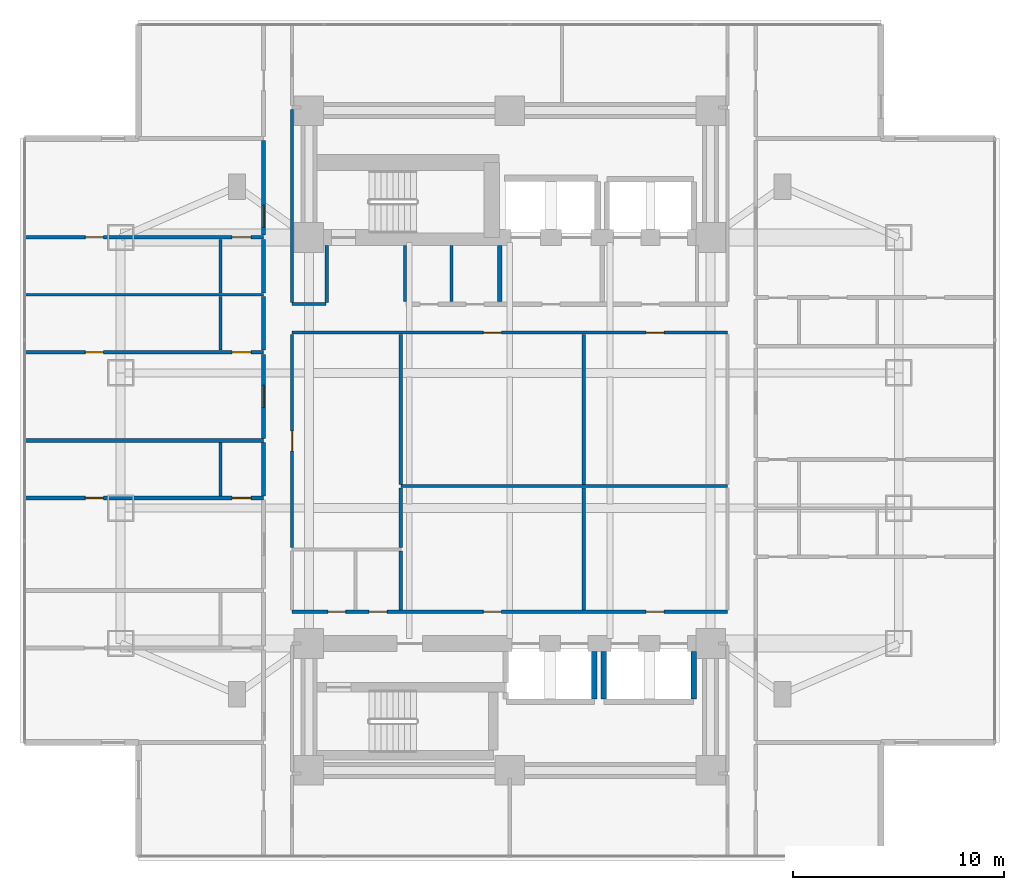
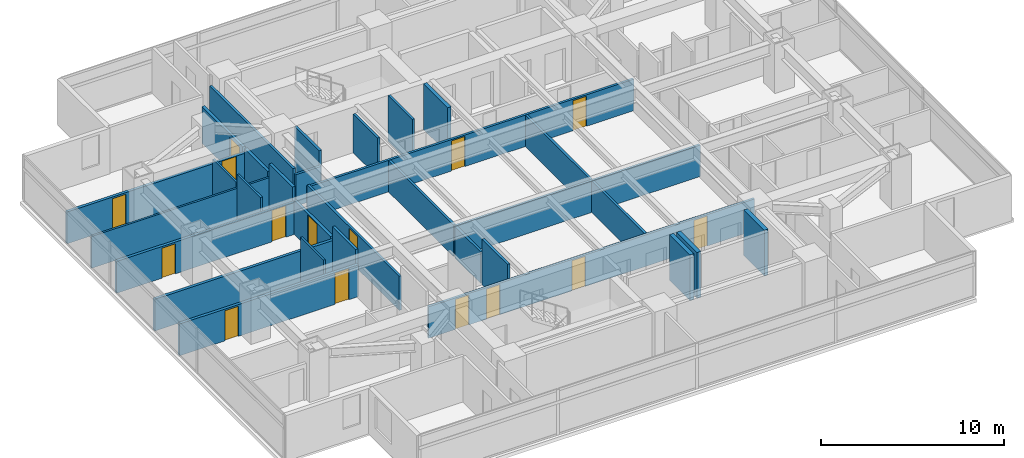
# One storey, part 15 of 26: 31 walls, 15 doors, 15 openings.
"""IFC4 building model written with IfcOpenShell, lengths in metres."""

from ifc_helpers import new_model, si_unit, direction, frame, frame_2d, origin, place, context, subcontext, project, spatial, rectangle, extrude, material, layer, layer_set, type_object, element, fill, save


model = new_model("IFC4")

# Units and contexts
model_context = context("Model", 3, precision=1e-05, world=origin(), true_north=direction((0.0, 1.0)))
body_context = subcontext(model_context, "Body", "Model", "MODEL_VIEW")
ifc_project = project(units=[si_unit("LENGTHUNIT", "METRE"), si_unit("AREAUNIT", "SQUARE_METRE"), si_unit("VOLUMEUNIT", "CUBIC_METRE"), si_unit("PLANEANGLEUNIT", "RADIAN"), si_unit("MASSUNIT", "GRAM", prefix="KILO")], contexts=[model_context])

# Site, building, storey
site_placement = place(None, origin())
site = spatial("IfcSite", under=ifc_project, at=site_placement, CompositionType="ELEMENT")
building_placement = place(site_placement, origin())
building = spatial("IfcBuilding", under=site, at=building_placement, Name="Mirazonda Arch Towers", CompositionType="ELEMENT")
storey_placement = place(building_placement, frame((0.0, 0.0, 45.5)))
storey = spatial("IfcBuildingStorey", under=building, at=storey_placement, Name="L12", CompositionType="ELEMENT", Elevation=45.5)

# Wall
ifc_material_1 = material(Name="Concrete C40/50", Category="concrete")
ifc_layer_1 = layer(ifc_material_1, 0.219970703125, Name="WALL-FFL-220")
ifc_layer_set_1 = layer_set([ifc_layer_1], Name="Concrete C40/50")
wall_type_1 = type_object("IfcWallType", Name="WALL-FFL-220", PredefinedType="SOLIDWALL", material=ifc_layer_set_1)
wall_1_placement = place(storey_placement, frame((20.02490234375, 34.570068359375, 0.0), z_axis=(0.0, 0.0, 1.0), x_axis=(0.0, 1.0, 0.0)))
element("IfcWall", 1, at=wall_1_placement, inside=storey, type_object=wall_type_1, Name="L12 Interior Partition 093", PredefinedType="SOLIDWALL", context=body_context, shape_type="SweptSolid", body=[
    extrude(rectangle(XDim=2.659912109375, YDim=0.219970703125, at=frame_2d((1.330078125, 0.0))), origin(), (0.0, 0.0, 1.0), 3.06005859375),
])

# Wall, openings, doors
ifc_material_2 = material(Name="Fire-Rated Gypsum Stud Partition")
ifc_layer_2 = layer(ifc_material_2, 0.14990234375, Name="WALL-PART-CORR-150")
ifc_layer_set_2 = layer_set([ifc_layer_2], Name="Fire-Rated Gypsum Stud Partition")
wall_type_2 = type_object("IfcWallType", Name="WALL-PART-CORR-150", PredefinedType="PARTITIONING", material=ifc_layer_set_2)
wall_2_placement = place(storey_placement, frame((10.199951171875, 19.89990234375, 0.0), z_axis=(0.0, 0.0, 1.0), x_axis=(1.0, 0.0, 0.0)))
wall_2 = element("IfcWall", 2, at=wall_2_placement, inside=storey, type_object=wall_type_2, Name="L12 Interior Partition 016", PredefinedType="PARTITIONING", context=body_context, shape_type="SweptSolid", body=[
    extrude(rectangle(XDim=20.60009765625, YDim=0.14990234375, at=frame_2d((10.300048828125, 0.0))), origin(), (0.0, 0.0, 1.0), 2.10400390625),
])
opening_1_placement = place(wall_2_placement, frame((1.695068359375, 0.0, 0.0)))
opening_1 = element("IfcOpeningElement", 3, at=opening_1_placement, cuts=wall_2, Name="Opening DR-128", PredefinedType="OPENING", context=body_context, shape_type="SweptSolid", body=[
    extrude(rectangle(XDim=0.85009765625, YDim=2.010009765625, at=frame_2d((0.425048828125, 1.0048828125))), frame((0.0, 0.0849609375, 0.0), z_axis=(0.0, -1.0, 0.0), x_axis=(1.0, 0.0, 0.0)), (0.0, 0.0, 1.0), 0.169921875),
])
opening_2_placement = place(wall_2_placement, frame((3.64990234375, 0.0, 0.0)))
opening_2 = element("IfcOpeningElement", 4, at=opening_2_placement, cuts=wall_2, Name="Opening DR-128", PredefinedType="OPENING", context=body_context, shape_type="SweptSolid", body=[
    extrude(rectangle(XDim=0.85009765625, YDim=2.010009765625, at=frame_2d((0.425048828125, 1.0048828125))), frame((0.0, 0.0849609375, 0.0), z_axis=(0.0, -1.0, 0.0), x_axis=(1.0, 0.0, 0.0)), (0.0, 0.0, 1.0), 0.169921875),
])
opening_3_placement = place(wall_2_placement, frame((9.051025390625, 0.0, 0.0)))
opening_3 = element("IfcOpeningElement", 5, at=opening_3_placement, cuts=wall_2, Name="Opening DR-128", PredefinedType="OPENING", context=body_context, shape_type="SweptSolid", body=[
    extrude(rectangle(XDim=0.85009765625, YDim=2.010009765625, at=frame_2d((0.425048828125, 1.0048828125))), frame((0.0, 0.0849609375, 0.0), z_axis=(0.0, -1.0, 0.0), x_axis=(1.0, 0.0, 0.0)), (0.0, 0.0, 1.0), 0.169921875),
])
opening_4_placement = place(wall_2_placement, frame((16.756103515625, 0.0, 0.0)))
opening_4 = element("IfcOpeningElement", 6, at=opening_4_placement, cuts=wall_2, Name="Opening DR-128", PredefinedType="OPENING", context=body_context, shape_type="SweptSolid", body=[
    extrude(rectangle(XDim=0.85009765625, YDim=2.010009765625, at=frame_2d((0.425048828125, 1.0048828125))), frame((0.0, 0.0849609375, 0.0), z_axis=(0.0, -1.0, 0.0), x_axis=(1.0, 0.0, 0.0)), (0.0, 0.0, 1.0), 0.169921875),
])
ifc_material_3 = material(Name="Architectural Brushed Steel S355", Category="steel")
door_type_1 = type_object("IfcDoorType", Name="DOOR-RISER-FD60-850", OperationType="NOTDEFINED", PredefinedType="DOOR", material=ifc_material_3)
door_1_placement = place(opening_1_placement, origin())
door_1 = element("IfcDoor", 7, at=door_1_placement, inside=storey, type_object=door_type_1, Name="L12 Common Accessible WC Door", OperationType="SINGLE_SWING_LEFT", OverallHeight=2.010009765625, OverallWidth=0.85009765625, PredefinedType="DOOR", context=body_context, shape_type="SweptSolid", body=[
    extrude(rectangle(XDim=0.85009765625, YDim=2.010009765625, at=frame_2d((0.425048828125, 1.0048828125))), frame((0.0, 0.02490234375, 0.0), z_axis=(0.0, -1.0, 0.0), x_axis=(1.0, 0.0, 0.0)), (0.0, 0.0, 1.0), 0.050048828125),
])
fill(opening_1, door_1)
door_2_placement = place(opening_2_placement, origin())
door_2 = element("IfcDoor", 8, at=door_2_placement, inside=storey, type_object=door_type_1, Name="L12 L12 West Courtyard Study Door", OperationType="SINGLE_SWING_LEFT", OverallHeight=2.010009765625, OverallWidth=0.85009765625, PredefinedType="DOOR", context=body_context, shape_type="SweptSolid", body=[
    extrude(rectangle(XDim=0.85009765625, YDim=2.010009765625, at=frame_2d((0.425048828125, 1.0048828125))), frame((0.0, 0.02490234375, 0.0), z_axis=(0.0, -1.0, 0.0), x_axis=(1.0, 0.0, 0.0)), (0.0, 0.0, 1.0), 0.050048828125),
])
fill(opening_2, door_2)
door_3_placement = place(opening_3_placement, origin())
door_3 = element("IfcDoor", 9, at=door_3_placement, inside=storey, type_object=door_type_1, Name="L12 Residents Private Library Door", OperationType="SINGLE_SWING_LEFT", OverallHeight=2.010009765625, OverallWidth=0.85009765625, PredefinedType="DOOR", context=body_context, shape_type="SweptSolid", body=[
    extrude(rectangle(XDim=0.85009765625, YDim=2.010009765625, at=frame_2d((0.425048828125, 1.0048828125))), frame((0.0, 0.02490234375, 0.0), z_axis=(0.0, -1.0, 0.0), x_axis=(1.0, 0.0, 0.0)), (0.0, 0.0, 1.0), 0.050048828125),
])
fill(opening_3, door_3)
door_4_placement = place(opening_4_placement, origin())
door_4 = element("IfcDoor", 10, at=door_4_placement, inside=storey, type_object=door_type_1, Name="L12 Chamber Music & Screening Salon Door", OperationType="SINGLE_SWING_RIGHT", OverallHeight=2.010009765625, OverallWidth=0.85009765625, PredefinedType="DOOR", context=body_context, shape_type="SweptSolid", body=[
    extrude(rectangle(XDim=0.85009765625, YDim=2.010009765625, at=frame_2d((0.425048828125, 1.0048828125))), frame((0.0, 0.02490234375, 0.0), z_axis=(0.0, -1.0, 0.0), x_axis=(1.0, 0.0, 0.0)), (0.0, 0.0, 1.0), 0.050048828125),
])
fill(opening_4, door_4)

# Wall
wall_3_placement = place(storey_placement, frame((15.35009765625, 25.840087890625, 0.0), z_axis=(0.0, 0.0, 1.0), x_axis=(1.0, 0.0, 0.0)))
element("IfcWall", 11, at=wall_3_placement, inside=storey, type_object=wall_type_2, Name="L12 Interior Partition 030", PredefinedType="PARTITIONING", context=body_context, shape_type="SweptSolid", body=[
    extrude(rectangle(XDim=15.449951171875, YDim=0.14990234375, at=frame_2d((7.72509765625, 0.0))), origin(), (0.0, 0.0, 1.0), 2.10400390625),
])

# Wall, openings, doors
wall_4_placement = place(storey_placement, frame((10.199951171875, 33.10009765625, 0.0), z_axis=(0.0, 0.0, 1.0), x_axis=(1.0, 0.0, 0.0)))
wall_4 = element("IfcWall", 12, at=wall_4_placement, inside=storey, type_object=wall_type_2, Name="L12 Interior Partition 045", PredefinedType="PARTITIONING", context=body_context, shape_type="SweptSolid", body=[
    extrude(rectangle(XDim=20.60009765625, YDim=0.14990234375, at=frame_2d((10.300048828125, 0.0))), origin(), (0.0, 0.0, 1.0), 2.10400390625),
])
opening_5_placement = place(wall_4_placement, frame((9.051025390625, 0.0, 0.0)))
opening_5 = element("IfcOpeningElement", 13, at=opening_5_placement, cuts=wall_4, Name="Opening DR-128", PredefinedType="OPENING", context=body_context, shape_type="SweptSolid", body=[
    extrude(rectangle(XDim=0.85009765625, YDim=2.010009765625, at=frame_2d((0.425048828125, 1.0048828125))), frame((0.0, 0.0849609375, 0.0), z_axis=(0.0, -1.0, 0.0), x_axis=(1.0, 0.0, 0.0)), (0.0, 0.0, 1.0), 0.169921875),
])
opening_6_placement = place(wall_4_placement, frame((16.756103515625, 0.0, 0.0)))
opening_6 = element("IfcOpeningElement", 14, at=opening_6_placement, cuts=wall_4, Name="Opening DR-128", PredefinedType="OPENING", context=body_context, shape_type="SweptSolid", body=[
    extrude(rectangle(XDim=0.85009765625, YDim=2.010009765625, at=frame_2d((0.425048828125, 1.0048828125))), frame((0.0, 0.0849609375, 0.0), z_axis=(0.0, -1.0, 0.0), x_axis=(1.0, 0.0, 0.0)), (0.0, 0.0, 1.0), 0.169921875),
])
door_5_placement = place(opening_5_placement, origin())
door_5 = element("IfcDoor", 15, at=door_5_placement, inside=storey, type_object=door_type_1, Name="L12 Private Dining Room Door", OperationType="SINGLE_SWING_LEFT", OverallHeight=2.010009765625, OverallWidth=0.85009765625, PredefinedType="DOOR", context=body_context, shape_type="SweptSolid", body=[
    extrude(rectangle(XDim=0.85009765625, YDim=2.010009765625, at=frame_2d((0.425048828125, 1.0048828125))), frame((0.0, 0.02490234375, 0.0), z_axis=(0.0, -1.0, 0.0), x_axis=(1.0, 0.0, 0.0)), (0.0, 0.0, 1.0), 0.050048828125),
])
fill(opening_5, door_5)
door_6_placement = place(opening_6_placement, origin())
door_6 = element("IfcDoor", 16, at=door_6_placement, inside=storey, type_object=door_type_1, Name="L12 Collectors Gallery Study Door", OperationType="SINGLE_SWING_RIGHT", OverallHeight=2.010009765625, OverallWidth=0.85009765625, PredefinedType="DOOR", context=body_context, shape_type="SweptSolid", body=[
    extrude(rectangle(XDim=0.85009765625, YDim=2.010009765625, at=frame_2d((0.425048828125, 1.0048828125))), frame((0.0, 0.02490234375, 0.0), z_axis=(0.0, -1.0, 0.0), x_axis=(1.0, 0.0, 0.0)), (0.0, 0.0, 1.0), 0.050048828125),
])
fill(opening_6, door_6)

# Wall
wall_5_placement = place(storey_placement, frame((10.199951171875, 34.449951171875, 0.0), z_axis=(0.0, 0.0, 1.0), x_axis=(1.0, 0.0, 0.0)))
element("IfcWall", 17, at=wall_5_placement, inside=storey, type_object=wall_type_2, Name="L12 Interior Partition 046", PredefinedType="PARTITIONING", context=body_context, shape_type="SweptSolid", body=[
    extrude(rectangle(XDim=1.60009765625, YDim=0.14990234375, at=frame_2d((0.800048828125, 0.0))), origin(), (0.0, 0.0, 1.0), 2.10400390625),
])

# Wall, opening, door
wall_6_placement = place(storey_placement, frame((10.206787109375, 22.93505859375, 0.0), z_axis=(0.0, 0.0, 1.0), x_axis=(0.0, 1.0, 0.0)))
wall_6 = element("IfcWall", 18, at=wall_6_placement, inside=storey, type_object=wall_type_2, Name="L12 Interior Partition 082", PredefinedType="PARTITIONING", context=body_context, shape_type="SweptSolid", body=[
    extrude(rectangle(XDim=10.079833984375, YDim=0.14990234375, at=frame_2d((5.0400390625, 0.0))), origin(), (0.0, 0.0, 1.0), 2.279052734375),
])
opening_7_placement = place(wall_6_placement, frame((4.56494140625, 0.0, 0.0)))
opening_7 = element("IfcOpeningElement", 19, at=opening_7_placement, cuts=wall_6, Name="Opening DR-104", PredefinedType="OPENING", context=body_context, shape_type="SweptSolid", body=[
    extrude(rectangle(XDim=0.949951171875, YDim=2.14990234375, at=frame_2d((0.47509765625, 1.074951171875))), frame((0.0, 0.0849609375, 0.0), z_axis=(0.0, -1.0, 0.0), x_axis=(1.0, 0.0, 0.0)), (0.0, 0.0, 1.0), 0.169921875),
])
door_type_2 = type_object("IfcDoorType", Name="DOOR-ROOM-950", OperationType="NOTDEFINED", PredefinedType="DOOR", material=ifc_material_3)
door_7_placement = place(opening_7_placement, origin())
door_7 = element("IfcDoor", 20, at=door_7_placement, inside=storey, type_object=door_type_2, Name="L12 L12 West Courtyard Salon Door", OperationType="SINGLE_SWING_RIGHT", OverallHeight=2.14990234375, OverallWidth=0.949951171875, PredefinedType="DOOR", context=body_context, shape_type="SweptSolid", body=[
    extrude(rectangle(XDim=0.949951171875, YDim=2.14990234375, at=frame_2d((0.47509765625, 1.074951171875))), frame((0.0, 0.02490234375, 0.0), z_axis=(0.0, -1.0, 0.0), x_axis=(1.0, 0.0, 0.0)), (0.0, 0.0, 1.0), 0.050048828125),
])
fill(opening_7, door_7)

# Walls
wall_7_placement = place(storey_placement, frame((10.199951171875, 34.534912109375, 0.0), z_axis=(0.0, 0.0, 1.0), x_axis=(0.0, 1.0, 0.0)))
element("IfcWall", 21, at=wall_7_placement, inside=storey, type_object=wall_type_2, Name="L12 Interior Partition 083", PredefinedType="PARTITIONING", context=body_context, shape_type="SweptSolid", body=[
    extrude(rectangle(XDim=9.130126953125, YDim=0.14990234375, at=frame_2d((4.56494140625, 0.0))), origin(), (0.0, 0.0, 1.0), 2.43603515625),
])
wall_8_placement = place(storey_placement, frame((11.85009765625, 34.534912109375, 0.0), z_axis=(0.0, 0.0, 1.0), x_axis=(0.0, 1.0, 0.0)))
element("IfcWall", 22, at=wall_8_placement, inside=storey, type_object=wall_type_2, Name="L12 Interior Partition 085", PredefinedType="PARTITIONING", context=body_context, shape_type="SweptSolid", body=[
    extrude(rectangle(XDim=2.695068359375, YDim=0.14990234375, at=frame_2d((1.34765625, 0.0))), origin(), (0.0, 0.0, 1.0), 3.06005859375),
])
wall_9_placement = place(storey_placement, frame((15.35009765625, 19.985107421875, 0.0), z_axis=(0.0, 0.0, 1.0), x_axis=(0.0, 1.0, 0.0)))
element("IfcWall", 23, at=wall_9_placement, inside=storey, type_object=wall_type_2, Name="L12 Interior Partition 087", PredefinedType="PARTITIONING", context=body_context, shape_type="SweptSolid", body=[
    extrude(rectangle(XDim=2.77978515625, YDim=0.14990234375, at=frame_2d((1.389892578125, 0.0))), origin(), (0.0, 0.0, 1.0), 3.06005859375),
])
wall_10_placement = place(storey_placement, frame((15.35009765625, 22.93505859375, 0.0), z_axis=(0.0, 0.0, 1.0), x_axis=(0.0, 1.0, 0.0)))
element("IfcWall", 24, at=wall_10_placement, inside=storey, type_object=wall_type_2, Name="L12 Interior Partition 088", PredefinedType="PARTITIONING", context=body_context, shape_type="SweptSolid", body=[
    extrude(rectangle(XDim=2.81982421875, YDim=0.14990234375, at=frame_2d((1.409912109375, 0.0))), origin(), (0.0, 0.0, 1.0), 2.10400390625),
])
wall_11_placement = place(storey_placement, frame((15.35009765625, 25.925048828125, 0.0), z_axis=(0.0, 0.0, 1.0), x_axis=(0.0, 1.0, 0.0)))
element("IfcWall", 25, at=wall_11_placement, inside=storey, type_object=wall_type_2, Name="L12 Interior Partition 089", PredefinedType="PARTITIONING", context=body_context, shape_type="SweptSolid", body=[
    extrude(rectangle(XDim=7.08984375, YDim=0.14990234375, at=frame_2d((3.544921875, 0.0))), origin(), (0.0, 0.0, 1.0), 2.10400390625),
])
wall_12_placement = place(storey_placement, frame((15.550048828125, 34.570068359375, 0.0), z_axis=(0.0, 0.0, 1.0), x_axis=(0.0, 1.0, 0.0)))
element("IfcWall", 26, at=wall_12_placement, inside=storey, type_object=wall_type_2, Name="L12 Interior Partition 090", PredefinedType="PARTITIONING", context=body_context, shape_type="SweptSolid", body=[
    extrude(rectangle(XDim=2.659912109375, YDim=0.14990234375, at=frame_2d((1.330078125, 0.0))), origin(), (0.0, 0.0, 1.0), 2.589111328125),
])
wall_13_placement = place(storey_placement, frame((17.75, 34.570068359375, 0.0), z_axis=(0.0, 0.0, 1.0), x_axis=(0.0, 1.0, 0.0)))
element("IfcWall", 27, at=wall_13_placement, inside=storey, type_object=wall_type_2, Name="L12 Interior Partition 091", PredefinedType="PARTITIONING", context=body_context, shape_type="SweptSolid", body=[
    extrude(rectangle(XDim=2.659912109375, YDim=0.14990234375, at=frame_2d((1.330078125, 0.0))), origin(), (0.0, 0.0, 1.0), 3.06005859375),
])
wall_14_placement = place(storey_placement, frame((24.001953125, 19.985107421875, 0.0), z_axis=(0.0, 0.0, 1.0), x_axis=(0.0, 1.0, 0.0)))
element("IfcWall", 28, at=wall_14_placement, inside=storey, type_object=wall_type_2, Name="L12 Interior Partition 098", PredefinedType="PARTITIONING", context=body_context, shape_type="SweptSolid", body=[
    extrude(rectangle(XDim=5.769775390625, YDim=0.14990234375, at=frame_2d((2.884765625, 0.0))), origin(), (0.0, 0.0, 1.0), 2.10400390625),
])
wall_15_placement = place(storey_placement, frame((24.001953125, 25.925048828125, 0.0), z_axis=(0.0, 0.0, 1.0), x_axis=(0.0, 1.0, 0.0)))
element("IfcWall", 29, at=wall_15_placement, inside=storey, type_object=wall_type_2, Name="L12 Interior Partition 099", PredefinedType="PARTITIONING", context=body_context, shape_type="SweptSolid", body=[
    extrude(rectangle(XDim=7.08984375, YDim=0.14990234375, at=frame_2d((3.544921875, 0.0))), origin(), (0.0, 0.0, 1.0), 2.10400390625),
])

# Wall, openings, doors
ifc_material_4 = material(Name="Fire-Rated Gypsum Twin-Stud Assembly")
ifc_layer_3 = layer(ifc_material_4, 0.179931640625, Name="WALL-PART-DEMISE-180")
ifc_layer_set_3 = layer_set([ifc_layer_3], Name="Fire-Rated Gypsum Twin-Stud Assembly")
wall_type_3 = type_object("IfcWallType", Name="WALL-PART-DEMISE-180", PredefinedType="PARTITIONING", material=ifc_layer_set_3)
wall_16_placement = place(storey_placement, frame((-2.43994140625, 25.280029296875, 0.0), z_axis=(0.0, 0.0, 1.0), x_axis=(1.0, 0.0, 0.0)))
wall_16 = element("IfcWall", 30, at=wall_16_placement, inside=storey, type_object=wall_type_3, Name="L12 Interior Partition 028", PredefinedType="PARTITIONING", context=body_context, shape_type="SweptSolid", body=[
    extrude(rectangle(XDim=11.300048828125, YDim=0.179931640625, at=frame_2d((5.64990234375, 0.0))), origin(), (0.0, 0.0, 1.0), 2.125),
])
opening_8_placement = place(wall_16_placement, frame((2.875, 0.0, 0.0)))
opening_8 = element("IfcOpeningElement", 31, at=opening_8_placement, cuts=wall_16, Name="Opening DR-128", PredefinedType="OPENING", context=body_context, shape_type="SweptSolid", body=[
    extrude(rectangle(XDim=0.85009765625, YDim=2.010009765625, at=frame_2d((0.425048828125, 1.0048828125))), frame((0.0, 0.099853515625, 0.0), z_axis=(0.0, -1.0, 0.0), x_axis=(1.0, 0.0, 0.0)), (0.0, 0.0, 1.0), 0.199951171875),
])
opening_9_placement = place(wall_16_placement, frame((9.81005859375, 0.0, 0.0)))
opening_9 = element("IfcOpeningElement", 32, at=opening_9_placement, cuts=wall_16, Name="Opening DR-120", PredefinedType="OPENING", context=body_context, shape_type="SweptSolid", body=[
    extrude(rectangle(XDim=0.89990234375, YDim=2.10009765625, at=frame_2d((0.449951171875, 1.050048828125))), frame((0.0, 0.099853515625, 0.0), z_axis=(0.0, -1.0, 0.0), x_axis=(1.0, 0.0, 0.0)), (0.0, 0.0, 1.0), 0.199951171875),
])
door_8_placement = place(opening_8_placement, origin())
door_8 = element("IfcDoor", 33, at=door_8_placement, inside=storey, type_object=door_type_1, Name="L12 Studio 2 Galley Kitchen Door", OperationType="SINGLE_SWING_RIGHT", OverallHeight=2.010009765625, OverallWidth=0.85009765625, PredefinedType="DOOR", context=body_context, shape_type="SweptSolid", body=[
    extrude(rectangle(XDim=0.85009765625, YDim=2.010009765625, at=frame_2d((0.425048828125, 1.0048828125))), frame((0.0, 0.02490234375, 0.0), z_axis=(0.0, -1.0, 0.0), x_axis=(1.0, 0.0, 0.0)), (0.0, 0.0, 1.0), 0.050048828125),
])
fill(opening_8, door_8)
door_type_3 = type_object("IfcDoorType", Name="DOOR-WC-900", OperationType="NOTDEFINED", PredefinedType="DOOR", material=ifc_material_3)
door_9_placement = place(opening_9_placement, origin())
door_9 = element("IfcDoor", 34, at=door_9_placement, inside=storey, type_object=door_type_3, Name="L12 Studio 2 Bathroom Door", OperationType="SINGLE_SWING_LEFT", OverallHeight=2.10009765625, OverallWidth=0.89990234375, PredefinedType="DOOR", context=body_context, shape_type="SweptSolid", body=[
    extrude(rectangle(XDim=0.89990234375, YDim=2.10009765625, at=frame_2d((0.449951171875, 1.050048828125))), frame((0.0, 0.02490234375, 0.0), z_axis=(0.0, -1.0, 0.0), x_axis=(1.0, 0.0, 0.0)), (0.0, 0.0, 1.0), 0.050048828125),
])
fill(opening_9, door_9)

# Wall
wall_17_placement = place(storey_placement, frame((-2.43994140625, 28.0, 0.0), z_axis=(0.0, 0.0, 1.0), x_axis=(1.0, 0.0, 0.0)))
element("IfcWall", 35, at=wall_17_placement, inside=storey, type_object=wall_type_3, Name="L12 Interior Partition 035", PredefinedType="PARTITIONING", context=body_context, shape_type="SweptSolid", body=[
    extrude(rectangle(XDim=11.300048828125, YDim=0.179931640625, at=frame_2d((5.64990234375, 0.0))), origin(), (0.0, 0.0, 1.0), 2.125),
])

# Wall, openings, doors
wall_18_placement = place(storey_placement, frame((-2.43994140625, 32.172119140625, 0.0), z_axis=(0.0, 0.0, 1.0), x_axis=(1.0, 0.0, 0.0)))
wall_18 = element("IfcWall", 36, at=wall_18_placement, inside=storey, type_object=wall_type_3, Name="L12 Interior Partition 041", PredefinedType="PARTITIONING", context=body_context, shape_type="SweptSolid", body=[
    extrude(rectangle(XDim=11.300048828125, YDim=0.179931640625, at=frame_2d((5.64990234375, 0.0))), origin(), (0.0, 0.0, 1.0), 2.125),
])
opening_10_placement = place(wall_18_placement, frame((2.875, 0.0, 0.0)))
opening_10 = element("IfcOpeningElement", 37, at=opening_10_placement, cuts=wall_18, Name="Opening DR-128", PredefinedType="OPENING", context=body_context, shape_type="SweptSolid", body=[
    extrude(rectangle(XDim=0.85009765625, YDim=2.010009765625, at=frame_2d((0.425048828125, 1.0048828125))), frame((0.0, 0.099853515625, 0.0), z_axis=(0.0, -1.0, 0.0), x_axis=(1.0, 0.0, 0.0)), (0.0, 0.0, 1.0), 0.199951171875),
])
opening_11_placement = place(wall_18_placement, frame((9.81005859375, 0.0, 0.0)))
opening_11 = element("IfcOpeningElement", 38, at=opening_11_placement, cuts=wall_18, Name="Opening DR-120", PredefinedType="OPENING", context=body_context, shape_type="SweptSolid", body=[
    extrude(rectangle(XDim=0.89990234375, YDim=2.10009765625, at=frame_2d((0.449951171875, 1.050048828125))), frame((0.0, 0.099853515625, 0.0), z_axis=(0.0, -1.0, 0.0), x_axis=(1.0, 0.0, 0.0)), (0.0, 0.0, 1.0), 0.199951171875),
])
door_10_placement = place(opening_10_placement, origin())
door_10 = element("IfcDoor", 39, at=door_10_placement, inside=storey, type_object=door_type_1, Name="L12 Studio 3 Galley Kitchen Door", OperationType="SINGLE_SWING_LEFT", OverallHeight=2.010009765625, OverallWidth=0.85009765625, PredefinedType="DOOR", context=body_context, shape_type="SweptSolid", body=[
    extrude(rectangle(XDim=0.85009765625, YDim=2.010009765625, at=frame_2d((0.425048828125, 1.0048828125))), frame((0.0, 0.02490234375, 0.0), z_axis=(0.0, -1.0, 0.0), x_axis=(1.0, 0.0, 0.0)), (0.0, 0.0, 1.0), 0.050048828125),
])
fill(opening_10, door_10)
door_11_placement = place(opening_11_placement, origin())
door_11 = element("IfcDoor", 40, at=door_11_placement, inside=storey, type_object=door_type_3, Name="L12 Studio 3 Bathroom Door", OperationType="SINGLE_SWING_RIGHT", OverallHeight=2.10009765625, OverallWidth=0.89990234375, PredefinedType="DOOR", context=body_context, shape_type="SweptSolid", body=[
    extrude(rectangle(XDim=0.89990234375, YDim=2.10009765625, at=frame_2d((0.449951171875, 1.050048828125))), frame((0.0, 0.02490234375, 0.0), z_axis=(0.0, -1.0, 0.0), x_axis=(1.0, 0.0, 0.0)), (0.0, 0.0, 1.0), 0.050048828125),
])
fill(opening_11, door_11)

wall_19_placement = place(storey_placement, frame((-2.43994140625, 37.612060546875, 0.0), z_axis=(0.0, 0.0, 1.0), x_axis=(1.0, 0.0, 0.0)))
wall_19 = element("IfcWall", 41, at=wall_19_placement, inside=storey, type_object=wall_type_3, Name="L12 Interior Partition 053", PredefinedType="PARTITIONING", context=body_context, shape_type="SweptSolid", body=[
    extrude(rectangle(XDim=11.300048828125, YDim=0.179931640625, at=frame_2d((5.64990234375, 0.0))), origin(), (0.0, 0.0, 1.0), 2.125),
])
opening_12_placement = place(wall_19_placement, frame((2.875, 0.0, 0.0)))
opening_12 = element("IfcOpeningElement", 42, at=opening_12_placement, cuts=wall_19, Name="Opening DR-128", PredefinedType="OPENING", context=body_context, shape_type="SweptSolid", body=[
    extrude(rectangle(XDim=0.85009765625, YDim=2.010009765625, at=frame_2d((0.425048828125, 1.0048828125))), frame((0.0, 0.099853515625, 0.0), z_axis=(0.0, -1.0, 0.0), x_axis=(1.0, 0.0, 0.0)), (0.0, 0.0, 1.0), 0.199951171875),
])
opening_13_placement = place(wall_19_placement, frame((9.81005859375, 0.0, 0.0)))
opening_13 = element("IfcOpeningElement", 43, at=opening_13_placement, cuts=wall_19, Name="Opening DR-120", PredefinedType="OPENING", context=body_context, shape_type="SweptSolid", body=[
    extrude(rectangle(XDim=0.89990234375, YDim=2.10009765625, at=frame_2d((0.449951171875, 1.050048828125))), frame((0.0, 0.099853515625, 0.0), z_axis=(0.0, -1.0, 0.0), x_axis=(1.0, 0.0, 0.0)), (0.0, 0.0, 1.0), 0.199951171875),
])
door_12_placement = place(opening_12_placement, origin())
door_12 = element("IfcDoor", 44, at=door_12_placement, inside=storey, type_object=door_type_1, Name="L12 Studio 4 Galley Kitchen Door", OperationType="SINGLE_SWING_RIGHT", OverallHeight=2.010009765625, OverallWidth=0.85009765625, PredefinedType="DOOR", context=body_context, shape_type="SweptSolid", body=[
    extrude(rectangle(XDim=0.85009765625, YDim=2.010009765625, at=frame_2d((0.425048828125, 1.0048828125))), frame((0.0, 0.02490234375, 0.0), z_axis=(0.0, -1.0, 0.0), x_axis=(1.0, 0.0, 0.0)), (0.0, 0.0, 1.0), 0.050048828125),
])
fill(opening_12, door_12)
door_13_placement = place(opening_13_placement, origin())
door_13 = element("IfcDoor", 45, at=door_13_placement, inside=storey, type_object=door_type_3, Name="L12 Studio 4 Bathroom Door", OperationType="SINGLE_SWING_LEFT", OverallHeight=2.10009765625, OverallWidth=0.89990234375, PredefinedType="DOOR", context=body_context, shape_type="SweptSolid", body=[
    extrude(rectangle(XDim=0.89990234375, YDim=2.10009765625, at=frame_2d((0.449951171875, 1.050048828125))), frame((0.0, 0.02490234375, 0.0), z_axis=(0.0, -1.0, 0.0), x_axis=(1.0, 0.0, 0.0)), (0.0, 0.0, 1.0), 0.050048828125),
])
fill(opening_13, door_13)

# Wall
wall_20_placement = place(storey_placement, frame((8.860107421875, 25.3798828125, 0.0), z_axis=(0.0, 0.0, 1.0), x_axis=(0.0, 1.0, 0.0)))
element("IfcWall", 46, at=wall_20_placement, inside=storey, type_object=wall_type_3, Name="L12 Interior Partition 073", PredefinedType="PARTITIONING", context=body_context, shape_type="SweptSolid", body=[
    extrude(rectangle(XDim=2.52001953125, YDim=0.179931640625, at=frame_2d((1.260009765625, 0.0))), origin(), (0.0, 0.0, 1.0), 3.06005859375),
])

# Wall, opening, door
wall_21_placement = place(storey_placement, frame((8.860107421875, 28.10009765625, 0.0), z_axis=(0.0, 0.0, 1.0), x_axis=(0.0, 1.0, 0.0)))
wall_21 = element("IfcWall", 47, at=wall_21_placement, inside=storey, type_object=wall_type_3, Name="L12 Interior Partition 074", PredefinedType="PARTITIONING", context=body_context, shape_type="SweptSolid", body=[
    extrude(rectangle(XDim=3.971923828125, YDim=0.179931640625, at=frame_2d((1.98583984375, 0.0))), origin(), (0.0, 0.0, 1.0), 2.279052734375),
])
opening_14_placement = place(wall_21_placement, frame((1.4609375, 0.0, 0.0)))
opening_14 = element("IfcOpeningElement", 48, at=opening_14_placement, cuts=wall_21, Name="Opening DR-121", PredefinedType="OPENING", context=body_context, shape_type="SweptSolid", body=[
    extrude(rectangle(XDim=1.050048828125, YDim=2.199951171875, at=frame_2d((0.52490234375, 1.10009765625))), frame((0.0, 0.099853515625, 0.0), z_axis=(0.0, -1.0, 0.0), x_axis=(1.0, 0.0, 0.0)), (0.0, 0.0, 1.0), 0.199951171875),
])
door_type_4 = type_object("IfcDoorType", Name="DOOR-SUITE-FD60-1050", OperationType="NOTDEFINED", PredefinedType="DOOR", material=ifc_material_3)
door_14_placement = place(opening_14_placement, origin())
door_14 = element("IfcDoor", 49, at=door_14_placement, inside=storey, type_object=door_type_4, Name="L12 Studio Apartment 3 Living Salon Door", OperationType="SINGLE_SWING_RIGHT", OverallHeight=2.199951171875, OverallWidth=1.050048828125, PredefinedType="DOOR", context=body_context, shape_type="SweptSolid", body=[
    extrude(rectangle(XDim=1.050048828125, YDim=2.199951171875, at=frame_2d((0.52490234375, 1.10009765625))), frame((0.0, 0.02490234375, 0.0), z_axis=(0.0, -1.0, 0.0), x_axis=(1.0, 0.0, 0.0)), (0.0, 0.0, 1.0), 0.050048828125),
])
fill(opening_14, door_14)

# Walls
wall_22_placement = place(storey_placement, frame((8.860107421875, 32.27197265625, 0.0), z_axis=(0.0, 0.0, 1.0), x_axis=(0.0, 1.0, 0.0)))
element("IfcWall", 50, at=wall_22_placement, inside=storey, type_object=wall_type_3, Name="L12 Interior Partition 075", PredefinedType="PARTITIONING", context=body_context, shape_type="SweptSolid", body=[
    extrude(rectangle(XDim=2.547607421875, YDim=0.179931640625, at=frame_2d((1.27392578125, 0.0))), origin(), (0.0, 0.0, 1.0), 3.06005859375),
])
wall_23_placement = place(storey_placement, frame((8.860107421875, 34.964599609375, 0.0), z_axis=(0.0, 0.0, 1.0), x_axis=(0.0, 1.0, 0.0)))
element("IfcWall", 51, at=wall_23_placement, inside=storey, type_object=wall_type_3, Name="L12 Interior Partition 076", PredefinedType="PARTITIONING", context=body_context, shape_type="SweptSolid", body=[
    extrude(rectangle(XDim=2.54736328125, YDim=0.179931640625, at=frame_2d((1.273681640625, 0.0))), origin(), (0.0, 0.0, 1.0), 2.451904296875),
])

# Wall, opening, door
wall_24_placement = place(storey_placement, frame((8.860107421875, 37.7119140625, 0.0), z_axis=(0.0, 0.0, 1.0), x_axis=(0.0, 1.0, 0.0)))
wall_24 = element("IfcWall", 52, at=wall_24_placement, inside=storey, type_object=wall_type_3, Name="L12 Interior Partition 077", PredefinedType="PARTITIONING", context=body_context, shape_type="SweptSolid", body=[
    extrude(rectangle(XDim=4.47412109375, YDim=0.179931640625, at=frame_2d((2.237060546875, 0.0))), origin(), (0.0, 0.0, 1.0), 2.43603515625),
])
opening_15_placement = place(wall_24_placement, frame((0.362060546875, 0.0, 0.0)))
opening_15 = element("IfcOpeningElement", 53, at=opening_15_placement, cuts=wall_24, Name="Opening DR-121", PredefinedType="OPENING", context=body_context, shape_type="SweptSolid", body=[
    extrude(rectangle(XDim=1.050048828125, YDim=2.199951171875, at=frame_2d((0.52490234375, 1.10009765625))), frame((0.0, 0.099853515625, 0.0), z_axis=(0.0, -1.0, 0.0), x_axis=(1.0, 0.0, 0.0)), (0.0, 0.0, 1.0), 0.199951171875),
])
door_15_placement = place(opening_15_placement, origin())
door_15 = element("IfcDoor", 54, at=door_15_placement, inside=storey, type_object=door_type_4, Name="L12 Studio Apartment 4 Living Salon Door", OperationType="SINGLE_SWING_LEFT", OverallHeight=2.199951171875, OverallWidth=1.050048828125, PredefinedType="DOOR", context=body_context, shape_type="SweptSolid", body=[
    extrude(rectangle(XDim=1.050048828125, YDim=2.199951171875, at=frame_2d((0.52490234375, 1.10009765625))), frame((0.0, 0.02490234375, 0.0), z_axis=(0.0, -1.0, 0.0), x_axis=(1.0, 0.0, 0.0)), (0.0, 0.0, 1.0), 0.050048828125),
])
fill(opening_15, door_15)

# Walls
ifc_material_5 = material(Name="Acoustic Fire-Rated Gypsum Partition")
ifc_layer_4 = layer(ifc_material_5, 0.125, Name="WALL-PART-UNIT-125")
ifc_layer_set_4 = layer_set([ifc_layer_4], Name="Acoustic Fire-Rated Gypsum Partition")
wall_type_4 = type_object("IfcWallType", Name="WALL-PART-UNIT-125", PredefinedType="PARTITIONING", material=ifc_layer_set_4)
wall_25_placement = place(storey_placement, frame((-2.43994140625, 34.89208984375, 0.0), z_axis=(0.0, 0.0, 1.0), x_axis=(1.0, 0.0, 0.0)))
element("IfcWall", 55, at=wall_25_placement, inside=storey, type_object=wall_type_4, Name="L12 Interior Partition 049", PredefinedType="PARTITIONING", context=body_context, shape_type="SweptSolid", body=[
    extrude(rectangle(XDim=11.300048828125, YDim=0.125, at=frame_2d((5.64990234375, 0.0))), origin(), (0.0, 0.0, 1.0), 2.125),
])
wall_26_placement = place(storey_placement, frame((6.820068359375, 25.3798828125, 0.0), z_axis=(0.0, 0.0, 1.0), x_axis=(0.0, 1.0, 0.0)))
element("IfcWall", 56, at=wall_26_placement, inside=storey, type_object=wall_type_4, Name="L12 Interior Partition 066", PredefinedType="PARTITIONING", context=body_context, shape_type="SweptSolid", body=[
    extrude(rectangle(XDim=2.52001953125, YDim=0.125, at=frame_2d((1.260009765625, 0.0))), origin(), (0.0, 0.0, 1.0), 3.06005859375),
])
wall_27_placement = place(storey_placement, frame((6.820068359375, 32.27197265625, 0.0), z_axis=(0.0, 0.0, 1.0), x_axis=(0.0, 1.0, 0.0)))
element("IfcWall", 57, at=wall_27_placement, inside=storey, type_object=wall_type_4, Name="L12 Interior Partition 067", PredefinedType="PARTITIONING", context=body_context, shape_type="SweptSolid", body=[
    extrude(rectangle(XDim=2.547607421875, YDim=0.125, at=frame_2d((1.27392578125, 0.0))), origin(), (0.0, 0.0, 1.0), 3.06005859375),
])
wall_28_placement = place(storey_placement, frame((6.820068359375, 34.964599609375, 0.0), z_axis=(0.0, 0.0, 1.0), x_axis=(0.0, 1.0, 0.0)))
element("IfcWall", 58, at=wall_28_placement, inside=storey, type_object=wall_type_4, Name="L12 Interior Partition 068", PredefinedType="PARTITIONING", context=body_context, shape_type="SweptSolid", body=[
    extrude(rectangle(XDim=2.54736328125, YDim=0.125, at=frame_2d((1.273681640625, 0.0))), origin(), (0.0, 0.0, 1.0), 2.451904296875),
])
ifc_layer_5 = layer(ifc_material_1, 0.25, Name="WALL-SHAFT-250")
ifc_layer_set_5 = layer_set([ifc_layer_5], Name="Concrete C40/50")
wall_type_5 = type_object("IfcWallType", Name="WALL-SHAFT-250", PredefinedType="SOLIDWALL", material=ifc_layer_set_5)
for number, where, z_axis, x_axis, name in (
    (59, (24.5, 15.784912109375, 0.0), (0.0, 0.0, 1.0), (0.0, 1.0, 0.0), "L12 Interior Partition 100"),
    (60, (24.949951171875, 15.784912109375, 0.0), (0.0, 0.0, 1.0), (0.0, 1.0, 0.0), "L12 Interior Partition 102"),
    (61, (29.199951171875, 15.784912109375, 0.0), (0.0, 0.0, 1.0), (0.0, 1.0, 0.0), "L12 Interior Partition 105"),
):
    element("IfcWall", number, at=place(storey_placement, frame(where, z_axis=z_axis, x_axis=x_axis)), inside=storey, type_object=wall_type_5, Name=name, PredefinedType="SOLIDWALL", context=body_context, shape_type="SweptSolid", body=[
        extrude(rectangle(XDim=2.2451171875, YDim=0.25, at=frame_2d((1.12255859375, 0.0))), origin(), (0.0, 0.0, 1.0), 3.06005859375),
    ])

save(model, "model.ifc")
